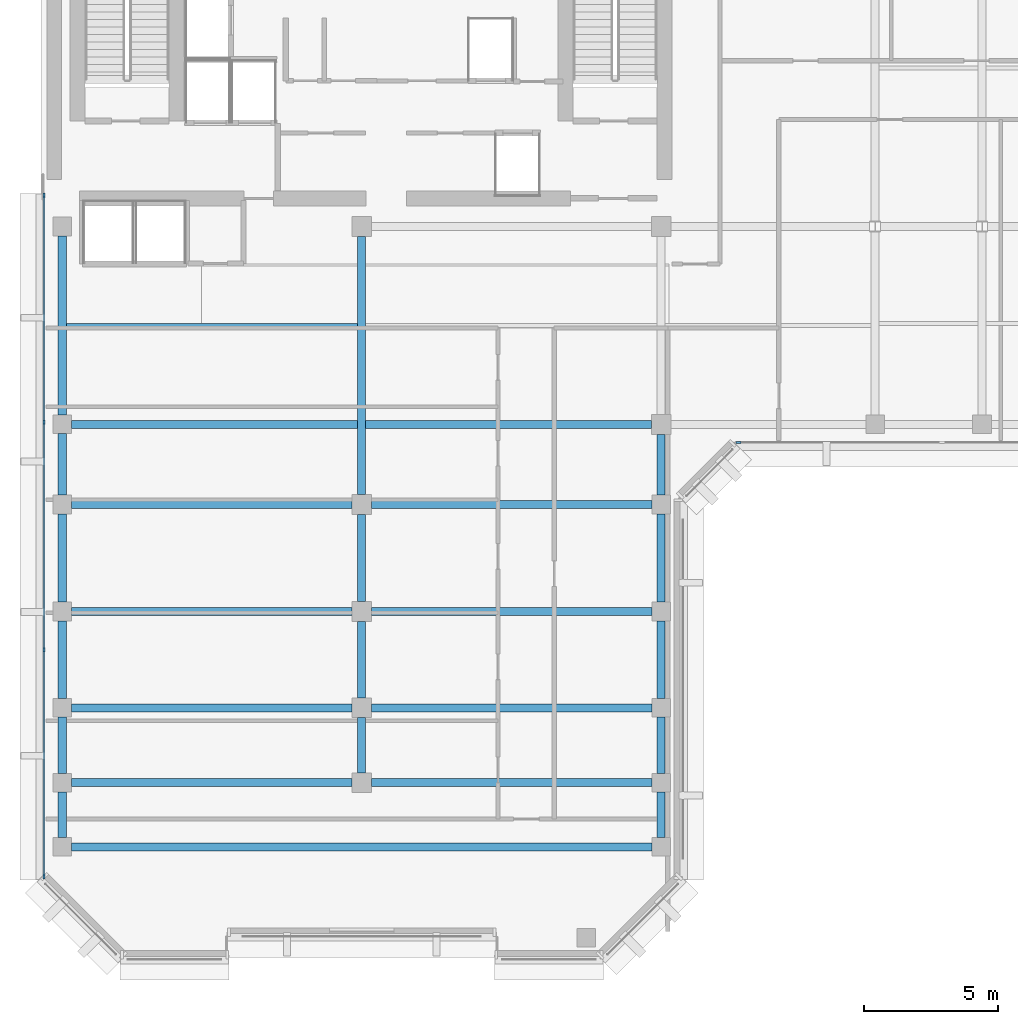
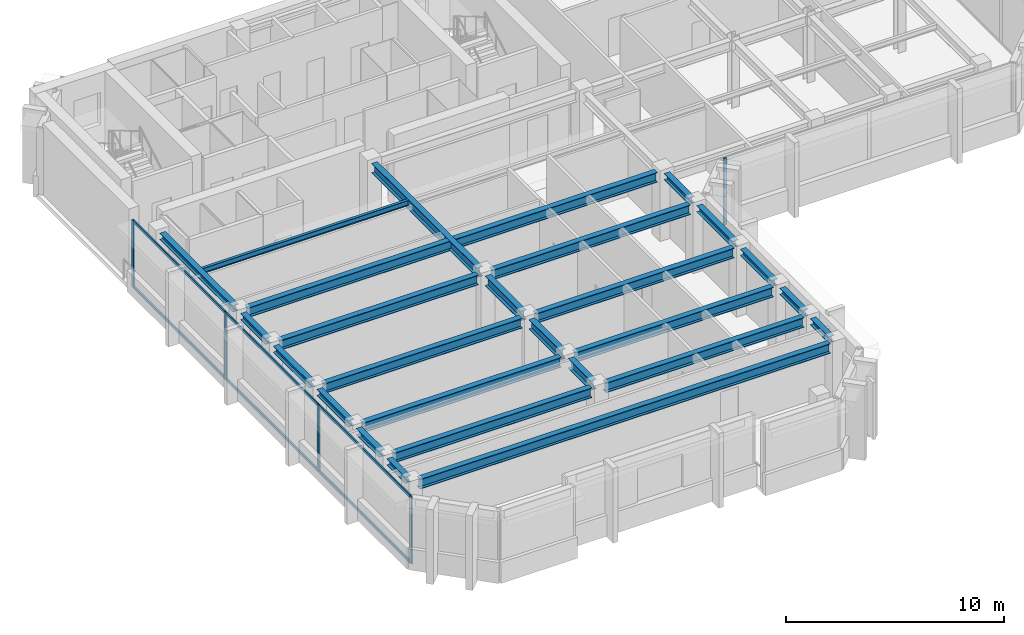
# One storey, part 2 of 13: 26 beams, 11 members, 2 elements without a shape of their own.
"""IFC4 building model written with IfcOpenShell, lengths in metres."""

from ifc_helpers import new_model, si_unit, direction, frame, origin, origin_2d, place, context, subcontext, project, spatial, rectangle, i_section, extrude, material, layer, layer_set, material_profile, profile_set, type_object, element, aggregate, save


model = new_model("IFC4")

# Units and contexts
model_context = context("Model", 3, precision=1e-05, world=origin(), true_north=direction((0.0, 1.0)))
body_context = subcontext(model_context, "Body", "Model", "MODEL_VIEW")
ifc_project = project(units=[si_unit("LENGTHUNIT", "METRE"), si_unit("AREAUNIT", "SQUARE_METRE"), si_unit("VOLUMEUNIT", "CUBIC_METRE"), si_unit("PLANEANGLEUNIT", "RADIAN"), si_unit("MASSUNIT", "GRAM", prefix="KILO")], contexts=[model_context])

# Site, building, storey
site_placement = place(None, origin())
site = spatial("IfcSite", under=ifc_project, at=site_placement, CompositionType="ELEMENT")
building_placement = place(site_placement, origin())
building = spatial("IfcBuilding", under=site, at=building_placement, Name="Kefirva Bronze Tower", CompositionType="ELEMENT")
storey_placement = place(building_placement, frame((0.0, 0.0, 311.85009765625)))
storey = spatial("IfcBuildingStorey", under=building, at=storey_placement, Name="L76", CompositionType="ELEMENT", Elevation=311.85009765625)

# Curtain wall, member
ifc_material_1 = material(Name="Bronze anodised aluminium", Category="aluminium")
ifc_layer = layer(ifc_material_1, 0.179931640625, Name="Bronze anodised aluminium")
ifc_layer_set = layer_set([ifc_layer], Name="Bronze anodised aluminium")
curtain_wall_type = type_object("IfcCurtainWallType", Name="Unitised Bronze Ribbon Curtain Wall Zone 4", PredefinedType="USERDEFINED", material=ifc_layer_set)
curtain_wall_1_placement = place(storey_placement, origin())
curtain_wall_1 = element("IfcCurtainWall", 1, at=curtain_wall_1_placement, inside=storey, type_object=curtain_wall_type, Name="L76 Curtain Wall 1", ObjectType="UNITISED CURTAIN WALL", PredefinedType="USERDEFINED")
ifc_material_profile_1 = material_profile(ifc_material_1, rectangle(XDim=0.074951171875, YDim=0.179931640625, at=origin_2d()), Name="ALU 75x180")
ifc_profile_set_1 = profile_set([ifc_material_profile_1], Name="Bronze anodised aluminium")
member_type_1 = type_object("IfcMemberType", Name="Bronze Mullion 75x180", PredefinedType="MULLION", material=ifc_profile_set_1)
member_1_placement = place(storey_placement, frame((26.092529296875, 25.1201171875, 0.0), z_axis=(0.0, 0.0, 1.0), x_axis=(0.0, 1.0, 0.0)))
member_1 = element("IfcMember", 2, at=member_1_placement, type_object=member_type_1, Name="CW-04 mullion 1", PredefinedType="MULLION", context=body_context, shape_type="SweptSolid", body=[
    extrude(rectangle(XDim=0.074951171875, YDim=0.179931640625, at=origin_2d()), origin(), (0.0, 0.0, 1.0), 3.739990234375),
])
aggregate(curtain_wall_1, [member_1])

# Curtain wall, members
curtain_wall_2_placement = place(storey_placement, origin())
curtain_wall_2 = element("IfcCurtainWall", 3, at=curtain_wall_2_placement, inside=storey, type_object=curtain_wall_type, Name="L76 Curtain Wall 4", ObjectType="UNITISED CURTAIN WALL", PredefinedType="USERDEFINED")
member_2_placement = place(storey_placement, frame((0.1201171875, 34.357421875, 0.0), z_axis=(0.0, 0.0, 1.0), x_axis=(1.0, 0.0, 0.0)))
member_2 = element("IfcMember", 4, at=member_2_placement, type_object=member_type_1, Name="CW-04 mullion 1", PredefinedType="MULLION", context=body_context, shape_type="SweptSolid", body=[
    extrude(rectangle(XDim=0.074951171875, YDim=0.179931640625, at=origin_2d()), origin(), (0.0, 0.0, 1.0), 3.739990234375),
])
member_3_placement = place(storey_placement, frame((0.1201171875, 25.881591796875, 0.0), z_axis=(0.0, 0.0, 1.0), x_axis=(1.0, 0.0, 0.0)))
member_3 = element("IfcMember", 5, at=member_3_placement, type_object=member_type_1, Name="CW-04 mullion 2", PredefinedType="MULLION", context=body_context, shape_type="SweptSolid", body=[
    extrude(rectangle(XDim=0.074951171875, YDim=0.179931640625, at=origin_2d()), origin(), (0.0, 0.0, 1.0), 3.739990234375),
])
member_4_placement = place(storey_placement, frame((0.1201171875, 17.368408203125, 0.0), z_axis=(0.0, 0.0, 1.0), x_axis=(1.0, 0.0, 0.0)))
member_4 = element("IfcMember", 6, at=member_4_placement, type_object=member_type_1, Name="CW-04 mullion 3", PredefinedType="MULLION", context=body_context, shape_type="SweptSolid", body=[
    extrude(rectangle(XDim=0.074951171875, YDim=0.179931640625, at=origin_2d()), origin(), (0.0, 0.0, 1.0), 3.739990234375),
])
member_5_placement = place(storey_placement, frame((0.1201171875, 8.892578125, 0.0), z_axis=(0.0, 0.0, 1.0), x_axis=(1.0, 0.0, 0.0)))
member_5 = element("IfcMember", 7, at=member_5_placement, type_object=member_type_1, Name="CW-04 mullion 4", PredefinedType="MULLION", context=body_context, shape_type="SweptSolid", body=[
    extrude(rectangle(XDim=0.074951171875, YDim=0.179931640625, at=origin_2d()), origin(), (0.0, 0.0, 1.0), 3.739990234375),
])
ifc_material_profile_2 = material_profile(ifc_material_1, rectangle(XDim=0.074951171875, YDim=0.14990234375, at=origin_2d()), Name="ALU 75x150")
ifc_profile_set_2 = profile_set([ifc_material_profile_2], Name="Bronze anodised aluminium")
member_type_2 = type_object("IfcMemberType", Name="Bronze Transom 75x150", PredefinedType="USERDEFINED", material=ifc_profile_set_2)
member_6_placement = place(storey_placement, frame((0.1201171875, 34.320068359375, 0.037353515625), z_axis=(0.0, -1.0, 0.0), x_axis=(1.0, 0.0, 0.0)))
member_6 = element("IfcMember", 8, at=member_6_placement, type_object=member_type_2, Name="CW-04 transom 1.1", ObjectType="TRANSOM", PredefinedType="USERDEFINED", context=body_context, shape_type="SweptSolid", body=[
    extrude(rectangle(XDim=0.074951171875, YDim=0.14990234375, at=origin_2d()), origin(), (0.0, 0.0, 1.0), 8.40087890625),
])
member_7_placement = place(storey_placement, frame((0.1201171875, 34.320068359375, 3.702392578125), z_axis=(0.0, -1.0, 0.0), x_axis=(1.0, 0.0, 0.0)))
member_7 = element("IfcMember", 9, at=member_7_placement, type_object=member_type_2, Name="CW-04 transom 1.2", ObjectType="TRANSOM", PredefinedType="USERDEFINED", context=body_context, shape_type="SweptSolid", body=[
    extrude(rectangle(XDim=0.074951171875, YDim=0.14990234375, at=origin_2d()), origin(), (0.0, 0.0, 1.0), 8.40087890625),
])
member_8_placement = place(storey_placement, frame((0.1201171875, 25.84423828125, 0.037353515625), z_axis=(0.0, -1.0, 0.0), x_axis=(1.0, 0.0, 0.0)))
member_8 = element("IfcMember", 10, at=member_8_placement, type_object=member_type_2, Name="CW-04 transom 2.1", ObjectType="TRANSOM", PredefinedType="USERDEFINED", context=body_context, shape_type="SweptSolid", body=[
    extrude(rectangle(XDim=0.074951171875, YDim=0.14990234375, at=origin_2d()), origin(), (0.0, 0.0, 1.0), 8.4384765625),
])
member_9_placement = place(storey_placement, frame((0.1201171875, 25.84423828125, 3.702392578125), z_axis=(0.0, -1.0, 0.0), x_axis=(1.0, 0.0, 0.0)))
member_9 = element("IfcMember", 11, at=member_9_placement, type_object=member_type_2, Name="CW-04 transom 2.2", ObjectType="TRANSOM", PredefinedType="USERDEFINED", context=body_context, shape_type="SweptSolid", body=[
    extrude(rectangle(XDim=0.074951171875, YDim=0.14990234375, at=origin_2d()), origin(), (0.0, 0.0, 1.0), 8.4384765625),
])
member_10_placement = place(storey_placement, frame((0.1201171875, 17.330810546875, 0.037353515625), z_axis=(0.0, -1.0, 0.0), x_axis=(1.0, 0.0, 0.0)))
member_10 = element("IfcMember", 12, at=member_10_placement, type_object=member_type_2, Name="CW-04 transom 3.1", ObjectType="TRANSOM", PredefinedType="USERDEFINED", context=body_context, shape_type="SweptSolid", body=[
    extrude(rectangle(XDim=0.074951171875, YDim=0.14990234375, at=origin_2d()), origin(), (0.0, 0.0, 1.0), 8.40087890625),
])
member_11_placement = place(storey_placement, frame((0.1201171875, 17.330810546875, 3.702392578125), z_axis=(0.0, -1.0, 0.0), x_axis=(1.0, 0.0, 0.0)))
member_11 = element("IfcMember", 13, at=member_11_placement, type_object=member_type_2, Name="CW-04 transom 3.2", ObjectType="TRANSOM", PredefinedType="USERDEFINED", context=body_context, shape_type="SweptSolid", body=[
    extrude(rectangle(XDim=0.074951171875, YDim=0.14990234375, at=origin_2d()), origin(), (0.0, 0.0, 1.0), 8.40087890625),
])
aggregate(curtain_wall_2, [member_2, member_3, member_4, member_5, member_6, member_7, member_8, member_9, member_10, member_11])

# Beams
ifc_material_2 = material(Name="Steel S355", Category="steel")
ifc_material_profile_3 = material_profile(ifc_material_2, i_section(OverallWidth=0.14990234375, OverallDepth=0.300048828125, WebThickness=0.007080078125, FlangeThickness=0.0107421875, at=origin_2d()), Name="IPE 300")
ifc_profile_set_3 = profile_set([ifc_material_profile_3], Name="Steel S355")
beam_type_1 = type_object("IfcBeamType", Name="Steel Floor Joist IPE 300", PredefinedType="JOIST", material=ifc_profile_set_3)
beam_1_placement = place(storey_placement, frame((0.949951171875, 29.489990234375, 3.58984375), z_axis=(1.0, 0.0, 0.0), x_axis=(0.0, 1.0, 0.0)))
element("IfcBeam", 14, at=beam_1_placement, inside=storey, type_object=beam_type_1, Name="L76 JST-L76-0-294", PredefinedType="JOIST", context=body_context, shape_type="SweptSolid", body=[
    extrude(i_section(OverallWidth=0.14990234375, OverallDepth=0.300048828125, WebThickness=0.007080078125, FlangeThickness=0.0107421875, at=origin_2d()), origin(), (0.0, 0.0, 1.0), 10.900146484375),
])
ifc_material_profile_4 = material_profile(ifc_material_2, i_section(OverallWidth=0.300048828125, OverallDepth=0.550048828125, WebThickness=0.014892578125, FlangeThickness=0.029052734375, at=origin_2d()), Name="HEB 550")
ifc_profile_set_4 = profile_set([ifc_material_profile_4], Name="Steel S355")
beam_type_2 = type_object("IfcBeamType", Name="Steel Girder HEB 550", PredefinedType="USERDEFINED", material=ifc_profile_set_4)
beam_2_placement = place(storey_placement, frame((1.14990234375, 10.0, 3.46484375), z_axis=(1.0, 0.0, 0.0), x_axis=(0.0, 1.0, 0.0)))
element("IfcBeam", 15, at=beam_2_placement, inside=storey, type_object=beam_type_2, Name="L76 BM-L76-EW-0-100", ObjectType="GIRDER", PredefinedType="USERDEFINED", context=body_context, shape_type="SweptSolid", body=[
    extrude(i_section(OverallWidth=0.300048828125, OverallDepth=0.550048828125, WebThickness=0.014892578125, FlangeThickness=0.029052734375, at=origin_2d()), origin(), (0.0, 0.0, 1.0), 21.7001953125),
])
for number, where, z_axis, x_axis, name in (
    (16, (1.14990234375, 12.39990234375, 3.46484375), (1.0, 0.0, 0.0), (0.0, 1.0, 0.0), "L76 BM-L76-EW-0-124"),
    (17, (12.3701171875, 12.39990234375, 3.46484375), (1.0, 0.0, 0.0), (0.0, 1.0, 0.0), "L76 BM-L76-EW-12-124"),
    (18, (1.14990234375, 15.199951171875, 3.46484375), (1.0, 0.0, 0.0), (0.0, 1.0, 0.0), "L76 BM-L76-EW-0-152"),
    (19, (12.3701171875, 15.199951171875, 3.46484375), (1.0, 0.0, 0.0), (0.0, 1.0, 0.0), "L76 BM-L76-EW-12-152"),
    (20, (1.14990234375, 18.800048828125, 3.46484375), (1.0, 0.0, 0.0), (0.0, 1.0, 0.0), "L76 BM-L76-EW-0-188"),
    (21, (12.3701171875, 18.800048828125, 3.46484375), (1.0, 0.0, 0.0), (0.0, 1.0, 0.0), "L76 BM-L76-EW-12-188"),
    (22, (1.14990234375, 22.800048828125, 3.46484375), (1.0, 0.0, 0.0), (0.0, 1.0, 0.0), "L76 BM-L76-EW-0-228"),
    (23, (12.3701171875, 22.800048828125, 3.46484375), (1.0, 0.0, 0.0), (0.0, 1.0, 0.0), "L76 BM-L76-EW-12-228"),
):
    element("IfcBeam", number, at=place(storey_placement, frame(where, z_axis=z_axis, x_axis=x_axis)), inside=storey, type_object=beam_type_2, Name=name, ObjectType="GIRDER", PredefinedType="USERDEFINED", context=body_context, shape_type="SweptSolid", body=[
        extrude(i_section(OverallWidth=0.300048828125, OverallDepth=0.550048828125, WebThickness=0.014892578125, FlangeThickness=0.029052734375, at=origin_2d()), origin(), (0.0, 0.0, 1.0), 10.47998046875),
    ])
beam_3_placement = place(storey_placement, frame((1.14990234375, 25.800048828125, 3.46484375), z_axis=(1.0, 0.0, 0.0), x_axis=(0.0, 1.0, 0.0)))
element("IfcBeam", 24, at=beam_3_placement, inside=storey, type_object=beam_type_2, Name="L76 BM-L76-EW-0-258", ObjectType="GIRDER", PredefinedType="USERDEFINED", context=body_context, shape_type="SweptSolid", body=[
    extrude(i_section(OverallWidth=0.300048828125, OverallDepth=0.550048828125, WebThickness=0.014892578125, FlangeThickness=0.029052734375, at=origin_2d()), origin(), (0.0, 0.0, 1.0), 21.68017578125),
])
beam_4_placement = place(storey_placement, frame((12.0, 12.77001953125, 3.46484375), z_axis=(0.0, 1.0, 0.0), x_axis=(-1.0, 0.0, 0.0)))
element("IfcBeam", 25, at=beam_4_placement, inside=storey, type_object=beam_type_2, Name="L76 BM-L76-NS-120-12", ObjectType="GIRDER", PredefinedType="USERDEFINED", context=body_context, shape_type="SweptSolid", body=[
    extrude(i_section(OverallWidth=0.300048828125, OverallDepth=0.550048828125, WebThickness=0.014892578125, FlangeThickness=0.029052734375, at=origin_2d()), origin(), (0.0, 0.0, 1.0), 2.06005859375),
])
beam_5_placement = place(storey_placement, frame((12.0, 15.570068359375, 3.46484375), z_axis=(0.0, 1.0, 0.0), x_axis=(-1.0, 0.0, 0.0)))
element("IfcBeam", 26, at=beam_5_placement, inside=storey, type_object=beam_type_2, Name="L76 BM-L76-NS-120-15", ObjectType="GIRDER", PredefinedType="USERDEFINED", context=body_context, shape_type="SweptSolid", body=[
    extrude(i_section(OverallWidth=0.300048828125, OverallDepth=0.550048828125, WebThickness=0.014892578125, FlangeThickness=0.029052734375, at=origin_2d()), origin(), (0.0, 0.0, 1.0), 2.85986328125),
])
beam_6_placement = place(storey_placement, frame((12.0, 19.169921875, 3.46484375), z_axis=(0.0, 1.0, 0.0), x_axis=(-1.0, 0.0, 0.0)))
element("IfcBeam", 27, at=beam_6_placement, inside=storey, type_object=beam_type_2, Name="L76 BM-L76-NS-120-18", ObjectType="GIRDER", PredefinedType="USERDEFINED", context=body_context, shape_type="SweptSolid", body=[
    extrude(i_section(OverallWidth=0.300048828125, OverallDepth=0.550048828125, WebThickness=0.014892578125, FlangeThickness=0.029052734375, at=origin_2d()), origin(), (0.0, 0.0, 1.0), 3.260009765625),
])
beam_7_placement = place(storey_placement, frame((12.0, 23.169921875, 3.46484375), z_axis=(0.0, 1.0, 0.0), x_axis=(-1.0, 0.0, 0.0)))
element("IfcBeam", 28, at=beam_7_placement, inside=storey, type_object=beam_type_2, Name="L76 BM-L76-NS-120-22", ObjectType="GIRDER", PredefinedType="USERDEFINED", context=body_context, shape_type="SweptSolid", body=[
    extrude(i_section(OverallWidth=0.300048828125, OverallDepth=0.550048828125, WebThickness=0.014892578125, FlangeThickness=0.029052734375, at=origin_2d()), origin(), (0.0, 0.0, 1.0), 9.66015625),
])
ifc_material_profile_5 = material_profile(ifc_material_2, i_section(OverallWidth=0.300048828125, OverallDepth=0.360107421875, WebThickness=0.012451171875, FlangeThickness=0.0224609375, at=origin_2d()), Name="HEB 360")
ifc_profile_set_5 = profile_set([ifc_material_profile_5], Name="Steel S355")
beam_type_3 = type_object("IfcBeamType", Name="Steel Spandrel HEB 360 Ext", PredefinedType="SPANDREL", material=ifc_profile_set_5)
beam_8_placement = place(storey_placement, frame((0.800048828125, 10.35009765625, 3.559814453125), z_axis=(0.0, 1.0, 0.0), x_axis=(-1.0, 0.0, 0.0)))
element("IfcBeam", 29, at=beam_8_placement, inside=storey, type_object=beam_type_3, Name="L76 BM-L76-NS-8-10", PredefinedType="SPANDREL", context=body_context, shape_type="SweptSolid", body=[
    extrude(i_section(OverallWidth=0.300048828125, OverallDepth=0.360107421875, WebThickness=0.012451171875, FlangeThickness=0.0224609375, at=origin_2d()), origin(), (0.0, 0.0, 1.0), 1.699951171875),
])
beam_9_placement = place(storey_placement, frame((0.800048828125, 12.75, 3.559814453125), z_axis=(0.0, 1.0, 0.0), x_axis=(-1.0, 0.0, 0.0)))
element("IfcBeam", 30, at=beam_9_placement, inside=storey, type_object=beam_type_3, Name="L76 BM-L76-NS-8-12", PredefinedType="SPANDREL", context=body_context, shape_type="SweptSolid", body=[
    extrude(i_section(OverallWidth=0.300048828125, OverallDepth=0.360107421875, WebThickness=0.012451171875, FlangeThickness=0.0224609375, at=origin_2d()), origin(), (0.0, 0.0, 1.0), 2.10009765625),
])
beam_10_placement = place(storey_placement, frame((0.800048828125, 15.550048828125, 3.559814453125), z_axis=(0.0, 1.0, 0.0), x_axis=(-1.0, 0.0, 0.0)))
element("IfcBeam", 31, at=beam_10_placement, inside=storey, type_object=beam_type_3, Name="L76 BM-L76-NS-8-15", PredefinedType="SPANDREL", context=body_context, shape_type="SweptSolid", body=[
    extrude(i_section(OverallWidth=0.300048828125, OverallDepth=0.360107421875, WebThickness=0.012451171875, FlangeThickness=0.0224609375, at=origin_2d()), origin(), (0.0, 0.0, 1.0), 2.89990234375),
])
beam_11_placement = place(storey_placement, frame((0.800048828125, 19.14990234375, 3.559814453125), z_axis=(0.0, 1.0, 0.0), x_axis=(-1.0, 0.0, 0.0)))
element("IfcBeam", 32, at=beam_11_placement, inside=storey, type_object=beam_type_3, Name="L76 BM-L76-NS-8-18", PredefinedType="SPANDREL", context=body_context, shape_type="SweptSolid", body=[
    extrude(i_section(OverallWidth=0.300048828125, OverallDepth=0.360107421875, WebThickness=0.012451171875, FlangeThickness=0.0224609375, at=origin_2d()), origin(), (0.0, 0.0, 1.0), 3.300048828125),
])
beam_12_placement = place(storey_placement, frame((0.800048828125, 23.14990234375, 3.559814453125), z_axis=(0.0, 1.0, 0.0), x_axis=(-1.0, 0.0, 0.0)))
element("IfcBeam", 33, at=beam_12_placement, inside=storey, type_object=beam_type_3, Name="L76 BM-L76-NS-8-22", PredefinedType="SPANDREL", context=body_context, shape_type="SweptSolid", body=[
    extrude(i_section(OverallWidth=0.300048828125, OverallDepth=0.360107421875, WebThickness=0.012451171875, FlangeThickness=0.0224609375, at=origin_2d()), origin(), (0.0, 0.0, 1.0), 2.300048828125),
])
beam_13_placement = place(storey_placement, frame((0.800048828125, 26.14990234375, 3.559814453125), z_axis=(0.0, 1.0, 0.0), x_axis=(-1.0, 0.0, 0.0)))
element("IfcBeam", 34, at=beam_13_placement, inside=storey, type_object=beam_type_3, Name="L76 BM-L76-NS-8-25", PredefinedType="SPANDREL", context=body_context, shape_type="SweptSolid", body=[
    extrude(i_section(OverallWidth=0.300048828125, OverallDepth=0.360107421875, WebThickness=0.012451171875, FlangeThickness=0.0224609375, at=origin_2d()), origin(), (0.0, 0.0, 1.0), 6.7001953125),
])
beam_14_placement = place(storey_placement, frame((23.199951171875, 10.35009765625, 3.559814453125), z_axis=(0.0, 1.0, 0.0), x_axis=(-1.0, 0.0, 0.0)))
element("IfcBeam", 35, at=beam_14_placement, inside=storey, type_object=beam_type_3, Name="L76 BM-L76-NS-232-10", PredefinedType="SPANDREL", context=body_context, shape_type="SweptSolid", body=[
    extrude(i_section(OverallWidth=0.300048828125, OverallDepth=0.360107421875, WebThickness=0.012451171875, FlangeThickness=0.0224609375, at=origin_2d()), origin(), (0.0, 0.0, 1.0), 1.699951171875),
])
beam_15_placement = place(storey_placement, frame((23.199951171875, 12.75, 3.559814453125), z_axis=(0.0, 1.0, 0.0), x_axis=(-1.0, 0.0, 0.0)))
element("IfcBeam", 36, at=beam_15_placement, inside=storey, type_object=beam_type_3, Name="L76 BM-L76-NS-232-12", PredefinedType="SPANDREL", context=body_context, shape_type="SweptSolid", body=[
    extrude(i_section(OverallWidth=0.300048828125, OverallDepth=0.360107421875, WebThickness=0.012451171875, FlangeThickness=0.0224609375, at=origin_2d()), origin(), (0.0, 0.0, 1.0), 2.10009765625),
])
beam_16_placement = place(storey_placement, frame((23.199951171875, 15.550048828125, 3.559814453125), z_axis=(0.0, 1.0, 0.0), x_axis=(-1.0, 0.0, 0.0)))
element("IfcBeam", 37, at=beam_16_placement, inside=storey, type_object=beam_type_3, Name="L76 BM-L76-NS-232-15", PredefinedType="SPANDREL", context=body_context, shape_type="SweptSolid", body=[
    extrude(i_section(OverallWidth=0.300048828125, OverallDepth=0.360107421875, WebThickness=0.012451171875, FlangeThickness=0.0224609375, at=origin_2d()), origin(), (0.0, 0.0, 1.0), 2.89990234375),
])
beam_17_placement = place(storey_placement, frame((23.199951171875, 19.14990234375, 3.559814453125), z_axis=(0.0, 1.0, 0.0), x_axis=(-1.0, 0.0, 0.0)))
element("IfcBeam", 38, at=beam_17_placement, inside=storey, type_object=beam_type_3, Name="L76 BM-L76-NS-232-18", PredefinedType="SPANDREL", context=body_context, shape_type="SweptSolid", body=[
    extrude(i_section(OverallWidth=0.300048828125, OverallDepth=0.360107421875, WebThickness=0.012451171875, FlangeThickness=0.0224609375, at=origin_2d()), origin(), (0.0, 0.0, 1.0), 3.300048828125),
])
beam_18_placement = place(storey_placement, frame((23.199951171875, 23.14990234375, 3.559814453125), z_axis=(0.0, 1.0, 0.0), x_axis=(-1.0, 0.0, 0.0)))
element("IfcBeam", 39, at=beam_18_placement, inside=storey, type_object=beam_type_3, Name="L76 BM-L76-NS-232-22", PredefinedType="SPANDREL", context=body_context, shape_type="SweptSolid", body=[
    extrude(i_section(OverallWidth=0.300048828125, OverallDepth=0.360107421875, WebThickness=0.012451171875, FlangeThickness=0.0224609375, at=origin_2d()), origin(), (0.0, 0.0, 1.0), 2.280029296875),
])

save(model, "model.ifc")
